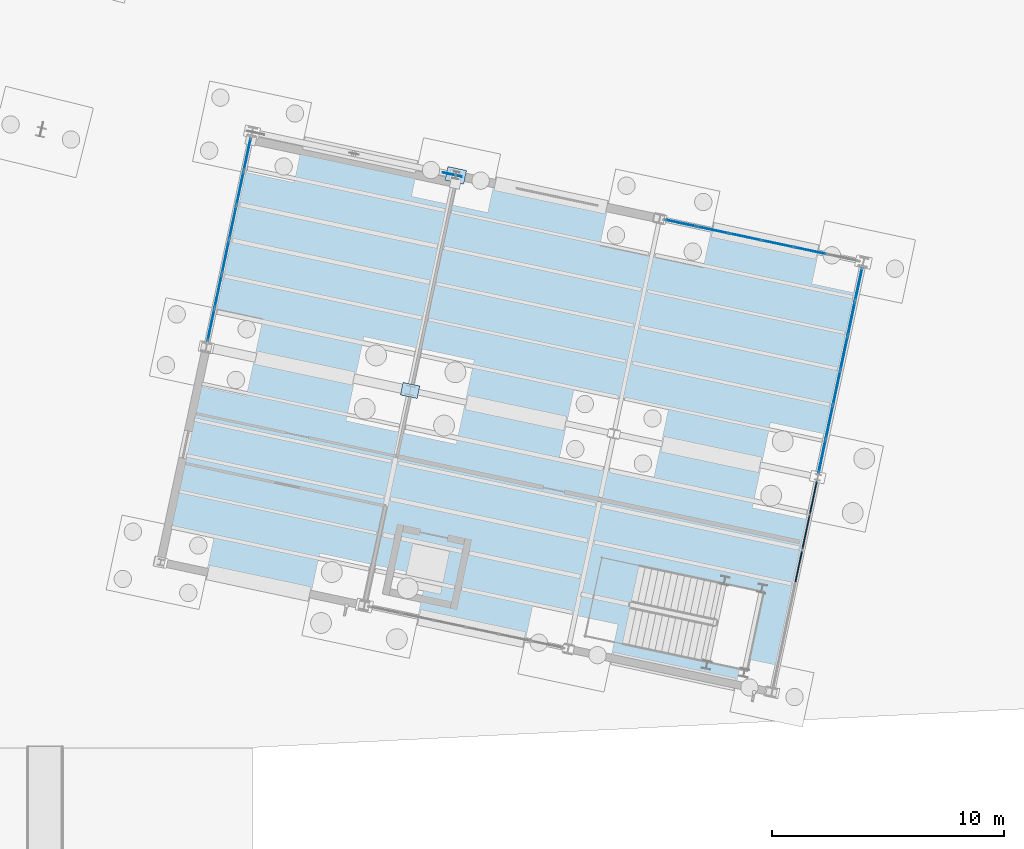
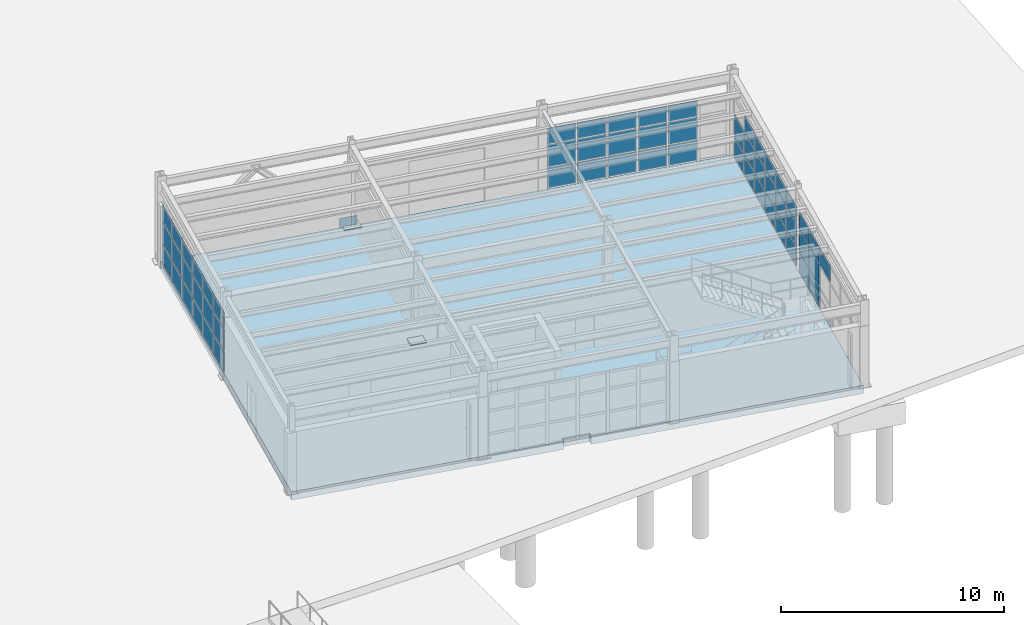
# One storey, part 68 of 108: 60 plates, 1 slab, 4 elements without a shape of their own.
"""IFC4 building model written with IfcOpenShell, lengths in metres."""

from ifc_helpers import new_model, si_unit, direction, frame, origin, origin_2d, place, context, subcontext, project, spatial, polyline, rectangle, outline, extrude, material, layer, layer_set, type_object, element, aggregate, save


model = new_model("IFC4")

# Units and contexts
model_context = context("Model", 3, precision=1e-05, world=origin(), true_north=direction((0.0, 1.0)))
body_context = subcontext(model_context, "Body", "Model", "MODEL_VIEW")
ifc_project = project(units=[si_unit("LENGTHUNIT", "METRE"), si_unit("AREAUNIT", "SQUARE_METRE"), si_unit("VOLUMEUNIT", "CUBIC_METRE"), si_unit("PLANEANGLEUNIT", "RADIAN"), si_unit("MASSUNIT", "GRAM", prefix="KILO")], contexts=[model_context])

# Site, building, storey
site_placement = place(None, origin())
site = spatial("IfcSite", under=ifc_project, at=site_placement, CompositionType="ELEMENT")
building_placement = place(site_placement, origin())
building = spatial("IfcBuilding", under=site, at=building_placement, Name="Vireo Bluff Cable Station", CompositionType="ELEMENT")
storey_placement = place(building_placement, origin())
storey = spatial("IfcBuildingStorey", under=building, at=storey_placement, Name="L00", CompositionType="ELEMENT", Elevation=0.0)

# Plates
ifc_material_1 = material(Name="Steel ASTM A572 Gr. 50", Category="steel")
ifc_layer_1 = layer(ifc_material_1, 0.047119140625, Name="Steel ASTM A572 Gr. 50")
ifc_layer_set_1 = layer_set([ifc_layer_1], Name="Steel ASTM A572 Gr. 50")
plate_type_1 = type_object("IfcPlateType", Name="BASEPLATE-740X550X47", PredefinedType="SHEET", material=ifc_layer_set_1)
plate_1_placement = place(storey_placement, frame((140.778564453125, 17.421142578125, 0.0), z_axis=(0.0, 0.0, 1.0), x_axis=(0.978147600734, -0.207911690818, 0.0)))
element("IfcPlate", 1, at=plate_1_placement, inside=storey, type_object=plate_type_1, Name="V5E column baseplate 270", PredefinedType="SHEET", context=body_context, shape_type="SweptSolid", body=[
    extrude(rectangle(XDim=0.739990234375, YDim=0.550048828125, at=origin_2d()), origin(), (0.0, 0.0, 1.0), 0.047119140625),
])
ifc_layer_2 = layer(ifc_material_1, 0.052001953125, Name="Steel ASTM A572 Gr. 50")
ifc_layer_set_2 = layer_set([ifc_layer_2], Name="Steel ASTM A572 Gr. 50")
plate_type_2 = type_object("IfcPlateType", Name="BASEPLATE-820X600X52", PredefinedType="SHEET", material=ifc_layer_set_2)
plate_2_placement = place(storey_placement, frame((142.753662109375, 26.713623046875, 0.0), z_axis=(0.0, 0.0, 1.0), x_axis=(0.978147600734, -0.207911690818, 0.0)))
element("IfcPlate", 2, at=plate_2_placement, inside=storey, type_object=plate_type_2, Name="V5E column baseplate 271", PredefinedType="SHEET", context=body_context, shape_type="SweptSolid", body=[
    extrude(rectangle(XDim=0.820068359375, YDim=0.60009765625, at=origin_2d()), origin(), (0.0, 0.0, 1.0), 0.052001953125),
])

# Curtain wall, plates
ifc_material_2 = material(Name="Anodized Aluminium 6063-T6", Category="aluminium")
ifc_layer_3 = layer(ifc_material_2, 0.179931640625, Name="Anodized Aluminium 6063-T6")
ifc_layer_set_3 = layer_set([ifc_layer_3], Name="Anodized Aluminium 6063-T6")
curtain_wall_type_1 = type_object("IfcCurtainWallType", Name="CW-UNIT-1650", PredefinedType="USERDEFINED", material=ifc_layer_set_3)
curtain_wall_1_placement = place(storey_placement, origin())
curtain_wall_1 = element("IfcCurtainWall", 3, at=curtain_wall_1_placement, inside=storey, type_object=curtain_wall_type_1, Name="V5E L00 west curtain wall CW-131", ObjectType="UNITISED CURTAIN WALL", PredefinedType="USERDEFINED")
ifc_material_3 = material(Name="Laminated Low-E Insulated Glass", Category="glass")
ifc_layer_4 = layer(ifc_material_3, 0.031982421875, Name="Laminated Low-E Insulated Glass")
ifc_layer_set_4 = layer_set([ifc_layer_4], Name="Laminated Low-E Insulated Glass")
plate_type_3 = type_object("IfcPlateType", Name="CWP-32-2", PredefinedType="CURTAIN_PANEL", material=ifc_layer_set_4)
plate_3_placement = place(storey_placement, frame((132.1787109375, 20.249755859375, 0.080078125), z_axis=(0.0, 0.0, 1.0), x_axis=(0.207911757979, 0.978147586458, 0.0)))
plate_3 = element("IfcPlate", 4, at=plate_3_placement, type_object=plate_type_3, Name="CW-131 panel 1.1", PredefinedType="CURTAIN_PANEL", context=body_context, shape_type="SweptSolid", body=[
    extrude(rectangle(XDim=1.394775390625, YDim=0.031982421875, at=origin_2d()), origin(), (0.0, 0.0, 1.0), 1.070068359375),
])
plate_4_placement = place(storey_placement, frame((132.1787109375, 20.249755859375, 1.22998046875), z_axis=(0.0, 0.0, 1.0), x_axis=(0.207911757979, 0.978147586458, 0.0)))
plate_4 = element("IfcPlate", 5, at=plate_4_placement, type_object=plate_type_3, Name="CW-131 panel 1.2", PredefinedType="CURTAIN_PANEL", context=body_context, shape_type="SweptSolid", body=[
    extrude(rectangle(XDim=1.394775390625, YDim=0.031982421875, at=origin_2d()), origin(), (0.0, 0.0, 1.0), 1.177978515625),
])
plate_5_placement = place(storey_placement, frame((132.1787109375, 20.249755859375, 2.488037109375), z_axis=(0.0, 0.0, 1.0), x_axis=(0.207911757979, 0.978147586458, 0.0)))
plate_5 = element("IfcPlate", 6, at=plate_5_placement, type_object=plate_type_3, Name="CW-131 panel 1.3", PredefinedType="CURTAIN_PANEL", context=body_context, shape_type="SweptSolid", body=[
    extrude(rectangle(XDim=1.394775390625, YDim=0.031982421875, at=origin_2d()), origin(), (0.0, 0.0, 1.0), 0.83203125),
])
plate_6_placement = place(storey_placement, frame((132.489501953125, 21.7119140625, 0.080078125), z_axis=(0.0, 0.0, 1.0), x_axis=(0.207911757979, 0.978147586458, 0.0)))
plate_6 = element("IfcPlate", 7, at=plate_6_placement, type_object=plate_type_3, Name="CW-131 panel 2.1", PredefinedType="CURTAIN_PANEL", context=body_context, shape_type="SweptSolid", body=[
    extrude(rectangle(XDim=1.4345703125, YDim=0.031982421875, at=origin_2d()), origin(), (0.0, 0.0, 1.0), 1.070068359375),
])
plate_7_placement = place(storey_placement, frame((132.489501953125, 21.7119140625, 1.22998046875), z_axis=(0.0, 0.0, 1.0), x_axis=(0.207911757979, 0.978147586458, 0.0)))
plate_7 = element("IfcPlate", 8, at=plate_7_placement, type_object=plate_type_3, Name="CW-131 panel 2.2", PredefinedType="CURTAIN_PANEL", context=body_context, shape_type="SweptSolid", body=[
    extrude(rectangle(XDim=1.4345703125, YDim=0.031982421875, at=origin_2d()), origin(), (0.0, 0.0, 1.0), 1.177978515625),
])
plate_8_placement = place(storey_placement, frame((132.489501953125, 21.7119140625, 2.488037109375), z_axis=(0.0, 0.0, 1.0), x_axis=(0.207911757979, 0.978147586458, 0.0)))
plate_8 = element("IfcPlate", 9, at=plate_8_placement, type_object=plate_type_3, Name="CW-131 panel 2.3", PredefinedType="CURTAIN_PANEL", context=body_context, shape_type="SweptSolid", body=[
    extrude(rectangle(XDim=1.4345703125, YDim=0.031982421875, at=origin_2d()), origin(), (0.0, 0.0, 1.0), 0.83203125),
])
plate_9_placement = place(storey_placement, frame((132.804443359375, 23.193359375, 0.080078125), z_axis=(0.0, 0.0, 1.0), x_axis=(0.207911757979, 0.978147586458, 0.0)))
plate_9 = element("IfcPlate", 10, at=plate_9_placement, type_object=plate_type_3, Name="CW-131 panel 3.1", PredefinedType="CURTAIN_PANEL", context=body_context, shape_type="SweptSolid", body=[
    extrude(rectangle(XDim=1.4345703125, YDim=0.031982421875, at=origin_2d()), origin(), (0.0, 0.0, 1.0), 1.070068359375),
])
plate_10_placement = place(storey_placement, frame((132.804443359375, 23.193359375, 1.22998046875), z_axis=(0.0, 0.0, 1.0), x_axis=(0.207911757979, 0.978147586458, 0.0)))
plate_10 = element("IfcPlate", 11, at=plate_10_placement, type_object=plate_type_3, Name="CW-131 panel 3.2", PredefinedType="CURTAIN_PANEL", context=body_context, shape_type="SweptSolid", body=[
    extrude(rectangle(XDim=1.4345703125, YDim=0.031982421875, at=origin_2d()), origin(), (0.0, 0.0, 1.0), 1.177978515625),
])
plate_11_placement = place(storey_placement, frame((132.804443359375, 23.193359375, 2.488037109375), z_axis=(0.0, 0.0, 1.0), x_axis=(0.207911757979, 0.978147586458, 0.0)))
plate_11 = element("IfcPlate", 12, at=plate_11_placement, type_object=plate_type_3, Name="CW-131 panel 3.3", PredefinedType="CURTAIN_PANEL", context=body_context, shape_type="SweptSolid", body=[
    extrude(rectangle(XDim=1.4345703125, YDim=0.031982421875, at=origin_2d()), origin(), (0.0, 0.0, 1.0), 0.83203125),
])
plate_12_placement = place(storey_placement, frame((133.119384765625, 24.675048828125, 0.080078125), z_axis=(0.0, 0.0, 1.0), x_axis=(0.207911757979, 0.978147586458, 0.0)))
plate_12 = element("IfcPlate", 13, at=plate_12_placement, type_object=plate_type_3, Name="CW-131 panel 4.1", PredefinedType="CURTAIN_PANEL", context=body_context, shape_type="SweptSolid", body=[
    extrude(rectangle(XDim=1.4345703125, YDim=0.031982421875, at=origin_2d()), origin(), (0.0, 0.0, 1.0), 1.070068359375),
])
plate_13_placement = place(storey_placement, frame((133.119384765625, 24.675048828125, 1.22998046875), z_axis=(0.0, 0.0, 1.0), x_axis=(0.207911757979, 0.978147586458, 0.0)))
plate_13 = element("IfcPlate", 14, at=plate_13_placement, type_object=plate_type_3, Name="CW-131 panel 4.2", PredefinedType="CURTAIN_PANEL", context=body_context, shape_type="SweptSolid", body=[
    extrude(rectangle(XDim=1.4345703125, YDim=0.031982421875, at=origin_2d()), origin(), (0.0, 0.0, 1.0), 1.177978515625),
])
plate_14_placement = place(storey_placement, frame((133.119384765625, 24.675048828125, 2.488037109375), z_axis=(0.0, 0.0, 1.0), x_axis=(0.207911757979, 0.978147586458, 0.0)))
plate_14 = element("IfcPlate", 15, at=plate_14_placement, type_object=plate_type_3, Name="CW-131 panel 4.3", PredefinedType="CURTAIN_PANEL", context=body_context, shape_type="SweptSolid", body=[
    extrude(rectangle(XDim=1.4345703125, YDim=0.031982421875, at=origin_2d()), origin(), (0.0, 0.0, 1.0), 0.83203125),
])
plate_15_placement = place(storey_placement, frame((133.43408203125, 26.156494140625, 0.080078125), z_axis=(0.0, 0.0, 1.0), x_axis=(0.207911757979, 0.978147586458, 0.0)))
plate_15 = element("IfcPlate", 16, at=plate_15_placement, type_object=plate_type_3, Name="CW-131 panel 5.1", PredefinedType="CURTAIN_PANEL", context=body_context, shape_type="SweptSolid", body=[
    extrude(rectangle(XDim=1.4345703125, YDim=0.031982421875, at=origin_2d()), origin(), (0.0, 0.0, 1.0), 1.070068359375),
])
plate_16_placement = place(storey_placement, frame((133.43408203125, 26.156494140625, 1.22998046875), z_axis=(0.0, 0.0, 1.0), x_axis=(0.207911757979, 0.978147586458, 0.0)))
plate_16 = element("IfcPlate", 17, at=plate_16_placement, type_object=plate_type_3, Name="CW-131 panel 5.2", PredefinedType="CURTAIN_PANEL", context=body_context, shape_type="SweptSolid", body=[
    extrude(rectangle(XDim=1.4345703125, YDim=0.031982421875, at=origin_2d()), origin(), (0.0, 0.0, 1.0), 1.177978515625),
])
plate_17_placement = place(storey_placement, frame((133.43408203125, 26.156494140625, 2.488037109375), z_axis=(0.0, 0.0, 1.0), x_axis=(0.207911757979, 0.978147586458, 0.0)))
plate_17 = element("IfcPlate", 18, at=plate_17_placement, type_object=plate_type_3, Name="CW-131 panel 5.3", PredefinedType="CURTAIN_PANEL", context=body_context, shape_type="SweptSolid", body=[
    extrude(rectangle(XDim=1.4345703125, YDim=0.031982421875, at=origin_2d()), origin(), (0.0, 0.0, 1.0), 0.83203125),
])
plate_18_placement = place(storey_placement, frame((133.744873046875, 27.61865234375, 0.080078125), z_axis=(0.0, 0.0, 1.0), x_axis=(0.207911757979, 0.978147586458, 0.0)))
plate_18 = element("IfcPlate", 19, at=plate_18_placement, type_object=plate_type_3, Name="CW-131 panel 6.1", PredefinedType="CURTAIN_PANEL", context=body_context, shape_type="SweptSolid", body=[
    extrude(rectangle(XDim=1.394775390625, YDim=0.031982421875, at=origin_2d()), origin(), (0.0, 0.0, 1.0), 1.070068359375),
])
plate_19_placement = place(storey_placement, frame((133.744873046875, 27.61865234375, 1.22998046875), z_axis=(0.0, 0.0, 1.0), x_axis=(0.207911757979, 0.978147586458, 0.0)))
plate_19 = element("IfcPlate", 20, at=plate_19_placement, type_object=plate_type_3, Name="CW-131 panel 6.2", PredefinedType="CURTAIN_PANEL", context=body_context, shape_type="SweptSolid", body=[
    extrude(rectangle(XDim=1.394775390625, YDim=0.031982421875, at=origin_2d()), origin(), (0.0, 0.0, 1.0), 1.177978515625),
])
plate_20_placement = place(storey_placement, frame((133.744873046875, 27.61865234375, 2.488037109375), z_axis=(0.0, 0.0, 1.0), x_axis=(0.207911757979, 0.978147586458, 0.0)))
plate_20 = element("IfcPlate", 21, at=plate_20_placement, type_object=plate_type_3, Name="CW-131 panel 6.3", PredefinedType="CURTAIN_PANEL", context=body_context, shape_type="SweptSolid", body=[
    extrude(rectangle(XDim=1.394775390625, YDim=0.031982421875, at=origin_2d()), origin(), (0.0, 0.0, 1.0), 0.83203125),
])
aggregate(curtain_wall_1, [plate_3, plate_4, plate_5, plate_6, plate_7, plate_8, plate_9, plate_10, plate_11, plate_12, plate_13, plate_14, plate_15, plate_16, plate_17, plate_18, plate_19, plate_20])

ifc_layer_5 = layer(ifc_material_2, 0.179931640625, Name="Anodized Aluminium 6063-T6")
ifc_layer_set_5 = layer_set([ifc_layer_5], Name="Anodized Aluminium 6063-T6")
curtain_wall_type_2 = type_object("IfcCurtainWallType", Name="CW-UNIT-1400", PredefinedType="USERDEFINED", material=ifc_layer_set_5)
curtain_wall_2_placement = place(storey_placement, origin())
curtain_wall_2 = element("IfcCurtainWall", 22, at=curtain_wall_2_placement, inside=storey, type_object=curtain_wall_type_2, Name="V5E L00 north curtain wall CW-132", ObjectType="UNITISED CURTAIN WALL", PredefinedType="USERDEFINED")
ifc_layer_6 = layer(ifc_material_3, 0.035888671875, Name="Laminated Low-E Insulated Glass")
ifc_layer_set_6 = layer_set([ifc_layer_6], Name="Laminated Low-E Insulated Glass")
plate_type_4 = type_object("IfcPlateType", Name="CWP-36-3", PredefinedType="CURTAIN_PANEL", material=ifc_layer_set_6)
plate_21_placement = place(storey_placement, frame((152.471435546875, 24.64794921875, 0.06494140625), z_axis=(0.0, 0.0, 1.0), x_axis=(0.978147597163, -0.207911707617, 0.0)))
plate_21 = element("IfcPlate", 23, at=plate_21_placement, type_object=plate_type_4, Name="CW-132 panel 1.1", PredefinedType="CURTAIN_PANEL", context=body_context, shape_type="SweptSolid", body=[
    extrude(rectangle(XDim=1.3349609375, YDim=0.035888671875, at=origin_2d()), origin(), (0.0, 0.0, 1.0), 1.092529296875),
])
plate_22_placement = place(storey_placement, frame((152.471435546875, 24.64794921875, 1.22265625), z_axis=(0.0, 0.0, 1.0), x_axis=(0.978147597163, -0.207911707617, 0.0)))
plate_22 = element("IfcPlate", 24, at=plate_22_placement, type_object=plate_type_4, Name="CW-132 panel 1.2", PredefinedType="CURTAIN_PANEL", context=body_context, shape_type="SweptSolid", body=[
    extrude(rectangle(XDim=1.3349609375, YDim=0.035888671875, at=origin_2d()), origin(), (0.0, 0.0, 1.0), 1.193115234375),
])
plate_23_placement = place(storey_placement, frame((152.471435546875, 24.64794921875, 2.48046875), z_axis=(0.0, 0.0, 1.0), x_axis=(0.978147597163, -0.207911707617, 0.0)))
plate_23 = element("IfcPlate", 25, at=plate_23_placement, type_object=plate_type_4, Name="CW-132 panel 1.3", PredefinedType="CURTAIN_PANEL", context=body_context, shape_type="SweptSolid", body=[
    extrude(rectangle(XDim=1.3349609375, YDim=0.035888671875, at=origin_2d()), origin(), (0.0, 0.0, 1.0), 0.8544921875),
])
plate_24_placement = place(storey_placement, frame((153.85693359375, 24.353515625, 0.06494140625), z_axis=(0.0, 0.0, 1.0), x_axis=(0.978147597163, -0.207911707617, 0.0)))
plate_24 = element("IfcPlate", 26, at=plate_24_placement, type_object=plate_type_4, Name="CW-132 panel 2.1", PredefinedType="CURTAIN_PANEL", context=body_context, shape_type="SweptSolid", body=[
    extrude(rectangle(XDim=1.367431640625, YDim=0.035888671875, at=origin_2d()), origin(), (0.0, 0.0, 1.0), 1.092529296875),
])
plate_25_placement = place(storey_placement, frame((153.85693359375, 24.353515625, 1.22265625), z_axis=(0.0, 0.0, 1.0), x_axis=(0.978147597163, -0.207911707617, 0.0)))
plate_25 = element("IfcPlate", 27, at=plate_25_placement, type_object=plate_type_4, Name="CW-132 panel 2.2", PredefinedType="CURTAIN_PANEL", context=body_context, shape_type="SweptSolid", body=[
    extrude(rectangle(XDim=1.367431640625, YDim=0.035888671875, at=origin_2d()), origin(), (0.0, 0.0, 1.0), 1.193115234375),
])
plate_26_placement = place(storey_placement, frame((153.85693359375, 24.353515625, 2.48046875), z_axis=(0.0, 0.0, 1.0), x_axis=(0.978147597163, -0.207911707617, 0.0)))
plate_26 = element("IfcPlate", 28, at=plate_26_placement, type_object=plate_type_4, Name="CW-132 panel 2.3", PredefinedType="CURTAIN_PANEL", context=body_context, shape_type="SweptSolid", body=[
    extrude(rectangle(XDim=1.367431640625, YDim=0.035888671875, at=origin_2d()), origin(), (0.0, 0.0, 1.0), 0.8544921875),
])
plate_27_placement = place(storey_placement, frame((155.258056640625, 24.0556640625, 0.06494140625), z_axis=(0.0, 0.0, 1.0), x_axis=(0.978147597163, -0.207911707617, 0.0)))
plate_27 = element("IfcPlate", 29, at=plate_27_placement, type_object=plate_type_4, Name="CW-132 panel 3.1", PredefinedType="CURTAIN_PANEL", context=body_context, shape_type="SweptSolid", body=[
    extrude(rectangle(XDim=1.367431640625, YDim=0.035888671875, at=origin_2d()), origin(), (0.0, 0.0, 1.0), 1.092529296875),
])
plate_28_placement = place(storey_placement, frame((155.258056640625, 24.0556640625, 1.22265625), z_axis=(0.0, 0.0, 1.0), x_axis=(0.978147597163, -0.207911707617, 0.0)))
plate_28 = element("IfcPlate", 30, at=plate_28_placement, type_object=plate_type_4, Name="CW-132 panel 3.2", PredefinedType="CURTAIN_PANEL", context=body_context, shape_type="SweptSolid", body=[
    extrude(rectangle(XDim=1.367431640625, YDim=0.035888671875, at=origin_2d()), origin(), (0.0, 0.0, 1.0), 1.193115234375),
])
plate_29_placement = place(storey_placement, frame((155.258056640625, 24.0556640625, 2.48046875), z_axis=(0.0, 0.0, 1.0), x_axis=(0.978147597163, -0.207911707617, 0.0)))
plate_29 = element("IfcPlate", 31, at=plate_29_placement, type_object=plate_type_4, Name="CW-132 panel 3.3", PredefinedType="CURTAIN_PANEL", context=body_context, shape_type="SweptSolid", body=[
    extrude(rectangle(XDim=1.367431640625, YDim=0.035888671875, at=origin_2d()), origin(), (0.0, 0.0, 1.0), 0.8544921875),
])
plate_30_placement = place(storey_placement, frame((156.6591796875, 23.7578125, 0.06494140625), z_axis=(0.0, 0.0, 1.0), x_axis=(0.978147597163, -0.207911707617, 0.0)))
plate_30 = element("IfcPlate", 32, at=plate_30_placement, type_object=plate_type_4, Name="CW-132 panel 4.1", PredefinedType="CURTAIN_PANEL", context=body_context, shape_type="SweptSolid", body=[
    extrude(rectangle(XDim=1.367431640625, YDim=0.035888671875, at=origin_2d()), origin(), (0.0, 0.0, 1.0), 1.092529296875),
])
plate_31_placement = place(storey_placement, frame((156.6591796875, 23.7578125, 1.22265625), z_axis=(0.0, 0.0, 1.0), x_axis=(0.978147597163, -0.207911707617, 0.0)))
plate_31 = element("IfcPlate", 33, at=plate_31_placement, type_object=plate_type_4, Name="CW-132 panel 4.2", PredefinedType="CURTAIN_PANEL", context=body_context, shape_type="SweptSolid", body=[
    extrude(rectangle(XDim=1.367431640625, YDim=0.035888671875, at=origin_2d()), origin(), (0.0, 0.0, 1.0), 1.193115234375),
])
plate_32_placement = place(storey_placement, frame((156.6591796875, 23.7578125, 2.48046875), z_axis=(0.0, 0.0, 1.0), x_axis=(0.978147597163, -0.207911707617, 0.0)))
plate_32 = element("IfcPlate", 34, at=plate_32_placement, type_object=plate_type_4, Name="CW-132 panel 4.3", PredefinedType="CURTAIN_PANEL", context=body_context, shape_type="SweptSolid", body=[
    extrude(rectangle(XDim=1.367431640625, YDim=0.035888671875, at=origin_2d()), origin(), (0.0, 0.0, 1.0), 0.8544921875),
])
plate_33_placement = place(storey_placement, frame((158.060546875, 23.4599609375, 0.06494140625), z_axis=(0.0, 0.0, 1.0), x_axis=(0.978147597163, -0.207911707617, 0.0)))
plate_33 = element("IfcPlate", 35, at=plate_33_placement, type_object=plate_type_4, Name="CW-132 panel 5.1", PredefinedType="CURTAIN_PANEL", context=body_context, shape_type="SweptSolid", body=[
    extrude(rectangle(XDim=1.367431640625, YDim=0.035888671875, at=origin_2d()), origin(), (0.0, 0.0, 1.0), 1.092529296875),
])
plate_34_placement = place(storey_placement, frame((158.060546875, 23.4599609375, 1.22265625), z_axis=(0.0, 0.0, 1.0), x_axis=(0.978147597163, -0.207911707617, 0.0)))
plate_34 = element("IfcPlate", 36, at=plate_34_placement, type_object=plate_type_4, Name="CW-132 panel 5.2", PredefinedType="CURTAIN_PANEL", context=body_context, shape_type="SweptSolid", body=[
    extrude(rectangle(XDim=1.367431640625, YDim=0.035888671875, at=origin_2d()), origin(), (0.0, 0.0, 1.0), 1.193115234375),
])
plate_35_placement = place(storey_placement, frame((158.060546875, 23.4599609375, 2.48046875), z_axis=(0.0, 0.0, 1.0), x_axis=(0.978147597163, -0.207911707617, 0.0)))
plate_35 = element("IfcPlate", 37, at=plate_35_placement, type_object=plate_type_4, Name="CW-132 panel 5.3", PredefinedType="CURTAIN_PANEL", context=body_context, shape_type="SweptSolid", body=[
    extrude(rectangle(XDim=1.367431640625, YDim=0.035888671875, at=origin_2d()), origin(), (0.0, 0.0, 1.0), 0.8544921875),
])
aggregate(curtain_wall_2, [plate_21, plate_22, plate_23, plate_24, plate_25, plate_26, plate_27, plate_28, plate_29, plate_30, plate_31, plate_32, plate_33, plate_34, plate_35])

ifc_layer_7 = layer(ifc_material_2, 0.179931640625, Name="Anodized Aluminium 6063-T6")
ifc_layer_set_7 = layer_set([ifc_layer_7], Name="Anodized Aluminium 6063-T6")
curtain_wall_type_3 = type_object("IfcCurtainWallType", Name="CW-UNIT-1500", PredefinedType="USERDEFINED", material=ifc_layer_set_7)
curtain_wall_3_placement = place(storey_placement, origin())
curtain_wall_3 = element("IfcCurtainWall", 38, at=curtain_wall_3_placement, inside=storey, type_object=curtain_wall_type_3, Name="V5E L00 east curtain wall CW-133", ObjectType="UNITISED CURTAIN WALL", PredefinedType="USERDEFINED")
ifc_material_4 = material(Name="Insulated Spandrel Glass Panel", Category="glass")
ifc_layer_8 = layer(ifc_material_4, 0.0419921875, Name="Insulated Spandrel Glass Panel")
ifc_layer_set_8 = layer_set([ifc_layer_8], Name="Insulated Spandrel Glass Panel")
plate_type_5 = type_object("IfcPlateType", Name="CWP-42-4", PredefinedType="CURTAIN_PANEL", material=ifc_layer_set_8)
plate_36_placement = place(storey_placement, frame((160.15576171875, 22.00830078125, 0.0751953125), z_axis=(0.0, 0.0, 1.0), x_axis=(-0.207911661778, -0.978147606906, 0.0)))
plate_36 = element("IfcPlate", 39, at=plate_36_placement, type_object=plate_type_5, Name="CW-133 panel 1.1", PredefinedType="CURTAIN_PANEL", context=body_context, shape_type="SweptSolid", body=[
    extrude(rectangle(XDim=1.41552734375, YDim=0.0419921875, at=origin_2d()), origin(), (0.0, 0.0, 1.0), 1.077392578125),
])
plate_37_placement = place(storey_placement, frame((160.15576171875, 22.00830078125, 1.2275390625), z_axis=(0.0, 0.0, 1.0), x_axis=(-0.207911661778, -0.978147606906, 0.0)))
plate_37 = element("IfcPlate", 40, at=plate_37_placement, type_object=plate_type_5, Name="CW-133 panel 1.2", PredefinedType="CURTAIN_PANEL", context=body_context, shape_type="SweptSolid", body=[
    extrude(rectangle(XDim=1.41552734375, YDim=0.0419921875, at=origin_2d()), origin(), (0.0, 0.0, 1.0), 1.18310546875),
])
plate_38_placement = place(storey_placement, frame((159.841796875, 20.531982421875, 0.0751953125), z_axis=(0.0, 0.0, 1.0), x_axis=(-0.207911661778, -0.978147606906, 0.0)))
plate_38 = element("IfcPlate", 41, at=plate_38_placement, type_object=plate_type_5, Name="CW-133 panel 2.1", PredefinedType="CURTAIN_PANEL", context=body_context, shape_type="SweptSolid", body=[
    extrude(rectangle(XDim=1.453125, YDim=0.0419921875, at=origin_2d()), origin(), (0.0, 0.0, 1.0), 1.077392578125),
])
plate_39_placement = place(storey_placement, frame((159.841796875, 20.531982421875, 1.2275390625), z_axis=(0.0, 0.0, 1.0), x_axis=(-0.207911661778, -0.978147606906, 0.0)))
plate_39 = element("IfcPlate", 42, at=plate_39_placement, type_object=plate_type_5, Name="CW-133 panel 2.2", PredefinedType="CURTAIN_PANEL", context=body_context, shape_type="SweptSolid", body=[
    extrude(rectangle(XDim=1.453125, YDim=0.0419921875, at=origin_2d()), origin(), (0.0, 0.0, 1.0), 1.18310546875),
])
plate_40_placement = place(storey_placement, frame((159.841796875, 20.531982421875, 2.4853515625), z_axis=(0.0, 0.0, 1.0), x_axis=(-0.207911661778, -0.978147606906, 0.0)))
plate_40 = element("IfcPlate", 43, at=plate_40_placement, type_object=plate_type_5, Name="CW-133 panel 2.3", PredefinedType="CURTAIN_PANEL", context=body_context, shape_type="SweptSolid", body=[
    extrude(rectangle(XDim=1.453125, YDim=0.0419921875, at=origin_2d()), origin(), (0.0, 0.0, 1.0), 0.839599609375),
])
plate_41_placement = place(storey_placement, frame((159.524169921875, 19.037353515625, 0.0751953125), z_axis=(0.0, 0.0, 1.0), x_axis=(-0.207911661778, -0.978147606906, 0.0)))
plate_41 = element("IfcPlate", 44, at=plate_41_placement, type_object=plate_type_5, Name="CW-133 panel 3.1", PredefinedType="CURTAIN_PANEL", context=body_context, shape_type="SweptSolid", body=[
    extrude(rectangle(XDim=1.453125, YDim=0.0419921875, at=origin_2d()), origin(), (0.0, 0.0, 1.0), 1.077392578125),
])
plate_42_placement = place(storey_placement, frame((159.524169921875, 19.037353515625, 1.2275390625), z_axis=(0.0, 0.0, 1.0), x_axis=(-0.207911661778, -0.978147606906, 0.0)))
plate_42 = element("IfcPlate", 45, at=plate_42_placement, type_object=plate_type_5, Name="CW-133 panel 3.2", PredefinedType="CURTAIN_PANEL", context=body_context, shape_type="SweptSolid", body=[
    extrude(rectangle(XDim=1.453125, YDim=0.0419921875, at=origin_2d()), origin(), (0.0, 0.0, 1.0), 1.18310546875),
])
plate_43_placement = place(storey_placement, frame((159.524169921875, 19.037353515625, 2.4853515625), z_axis=(0.0, 0.0, 1.0), x_axis=(-0.207911661778, -0.978147606906, 0.0)))
plate_43 = element("IfcPlate", 46, at=plate_43_placement, type_object=plate_type_5, Name="CW-133 panel 3.3", PredefinedType="CURTAIN_PANEL", context=body_context, shape_type="SweptSolid", body=[
    extrude(rectangle(XDim=1.453125, YDim=0.0419921875, at=origin_2d()), origin(), (0.0, 0.0, 1.0), 0.839599609375),
])
plate_44_placement = place(storey_placement, frame((159.20654296875, 17.542724609375, 0.0751953125), z_axis=(0.0, 0.0, 1.0), x_axis=(-0.207911661778, -0.978147606906, 0.0)))
plate_44 = element("IfcPlate", 47, at=plate_44_placement, type_object=plate_type_5, Name="CW-133 panel 4.1", PredefinedType="CURTAIN_PANEL", context=body_context, shape_type="SweptSolid", body=[
    extrude(rectangle(XDim=1.453125, YDim=0.0419921875, at=origin_2d()), origin(), (0.0, 0.0, 1.0), 1.077392578125),
])
plate_45_placement = place(storey_placement, frame((159.20654296875, 17.542724609375, 1.2275390625), z_axis=(0.0, 0.0, 1.0), x_axis=(-0.207911661778, -0.978147606906, 0.0)))
plate_45 = element("IfcPlate", 48, at=plate_45_placement, type_object=plate_type_5, Name="CW-133 panel 4.2", PredefinedType="CURTAIN_PANEL", context=body_context, shape_type="SweptSolid", body=[
    extrude(rectangle(XDim=1.453125, YDim=0.0419921875, at=origin_2d()), origin(), (0.0, 0.0, 1.0), 1.18310546875),
])
plate_46_placement = place(storey_placement, frame((159.20654296875, 17.542724609375, 2.4853515625), z_axis=(0.0, 0.0, 1.0), x_axis=(-0.207911661778, -0.978147606906, 0.0)))
plate_46 = element("IfcPlate", 49, at=plate_46_placement, type_object=plate_type_5, Name="CW-133 panel 4.3", PredefinedType="CURTAIN_PANEL", context=body_context, shape_type="SweptSolid", body=[
    extrude(rectangle(XDim=1.453125, YDim=0.0419921875, at=origin_2d()), origin(), (0.0, 0.0, 1.0), 0.839599609375),
])
plate_47_placement = place(storey_placement, frame((158.888671875, 16.048095703125, 0.0751953125), z_axis=(0.0, 0.0, 1.0), x_axis=(-0.207911661778, -0.978147606906, 0.0)))
plate_47 = element("IfcPlate", 50, at=plate_47_placement, type_object=plate_type_5, Name="CW-133 panel 5.1", PredefinedType="CURTAIN_PANEL", context=body_context, shape_type="SweptSolid", body=[
    extrude(rectangle(XDim=1.453125, YDim=0.0419921875, at=origin_2d()), origin(), (0.0, 0.0, 1.0), 1.077392578125),
])
plate_48_placement = place(storey_placement, frame((158.888671875, 16.048095703125, 1.2275390625), z_axis=(0.0, 0.0, 1.0), x_axis=(-0.207911661778, -0.978147606906, 0.0)))
plate_48 = element("IfcPlate", 51, at=plate_48_placement, type_object=plate_type_5, Name="CW-133 panel 5.2", PredefinedType="CURTAIN_PANEL", context=body_context, shape_type="SweptSolid", body=[
    extrude(rectangle(XDim=1.453125, YDim=0.0419921875, at=origin_2d()), origin(), (0.0, 0.0, 1.0), 1.18310546875),
])
plate_49_placement = place(storey_placement, frame((158.888671875, 16.048095703125, 2.4853515625), z_axis=(0.0, 0.0, 1.0), x_axis=(-0.207911661778, -0.978147606906, 0.0)))
plate_49 = element("IfcPlate", 52, at=plate_49_placement, type_object=plate_type_5, Name="CW-133 panel 5.3", PredefinedType="CURTAIN_PANEL", context=body_context, shape_type="SweptSolid", body=[
    extrude(rectangle(XDim=1.453125, YDim=0.0419921875, at=origin_2d()), origin(), (0.0, 0.0, 1.0), 0.839599609375),
])
plate_50_placement = place(storey_placement, frame((158.574951171875, 14.571533203125, 0.0751953125), z_axis=(0.0, 0.0, 1.0), x_axis=(-0.207911661778, -0.978147606906, 0.0)))
plate_50 = element("IfcPlate", 53, at=plate_50_placement, type_object=plate_type_5, Name="CW-133 panel 6.1", PredefinedType="CURTAIN_PANEL", context=body_context, shape_type="SweptSolid", body=[
    extrude(rectangle(XDim=1.41552734375, YDim=0.0419921875, at=origin_2d()), origin(), (0.0, 0.0, 1.0), 1.077392578125),
])
plate_51_placement = place(storey_placement, frame((158.574951171875, 14.571533203125, 1.2275390625), z_axis=(0.0, 0.0, 1.0), x_axis=(-0.207911661778, -0.978147606906, 0.0)))
plate_51 = element("IfcPlate", 54, at=plate_51_placement, type_object=plate_type_5, Name="CW-133 panel 6.2", PredefinedType="CURTAIN_PANEL", context=body_context, shape_type="SweptSolid", body=[
    extrude(rectangle(XDim=1.41552734375, YDim=0.0419921875, at=origin_2d()), origin(), (0.0, 0.0, 1.0), 1.18310546875),
])
plate_52_placement = place(storey_placement, frame((158.574951171875, 14.571533203125, 2.4853515625), z_axis=(0.0, 0.0, 1.0), x_axis=(-0.207911661778, -0.978147606906, 0.0)))
plate_52 = element("IfcPlate", 55, at=plate_52_placement, type_object=plate_type_5, Name="CW-133 panel 6.3", PredefinedType="CURTAIN_PANEL", context=body_context, shape_type="SweptSolid", body=[
    extrude(rectangle(XDim=1.41552734375, YDim=0.0419921875, at=origin_2d()), origin(), (0.0, 0.0, 1.0), 0.839599609375),
])
aggregate(curtain_wall_3, [plate_36, plate_37, plate_38, plate_39, plate_40, plate_41, plate_42, plate_43, plate_44, plate_45, plate_46, plate_47, plate_48, plate_49, plate_50, plate_51, plate_52])

curtain_wall_4_placement = place(storey_placement, origin())
curtain_wall_4 = element("IfcCurtainWall", 56, at=curtain_wall_4_placement, inside=storey, type_object=curtain_wall_type_1, Name="V5E L00 east curtain wall CW-134", ObjectType="UNITISED CURTAIN WALL", PredefinedType="USERDEFINED")
ifc_layer_9 = layer(ifc_material_4, 0.048095703125, Name="Insulated Spandrel Glass Panel")
ifc_layer_set_9 = layer_set([ifc_layer_9], Name="Insulated Spandrel Glass Panel")
plate_type_6 = type_object("IfcPlateType", Name="CWP-48-5", PredefinedType="CURTAIN_PANEL", material=ifc_layer_set_9)
plate_53_placement = place(storey_placement, frame((158.196044921875, 12.78955078125, 0.06005859375), z_axis=(0.0, 0.0, 1.0), x_axis=(-0.207911766122, -0.978147584727, 0.0)))
plate_53 = element("IfcPlate", 57, at=plate_53_placement, type_object=plate_type_6, Name="CW-134 panel 1.1", PredefinedType="CURTAIN_PANEL", context=body_context, shape_type="SweptSolid", body=[
    extrude(rectangle(XDim=1.43798828125, YDim=0.048095703125, at=origin_2d()), origin(), (0.0, 0.0, 1.0), 1.10009765625),
])
plate_54_placement = place(storey_placement, frame((158.196044921875, 12.78955078125, 1.22021484375), z_axis=(0.0, 0.0, 1.0), x_axis=(-0.207911766122, -0.978147584727, 0.0)))
plate_54 = element("IfcPlate", 58, at=plate_54_placement, type_object=plate_type_6, Name="CW-134 panel 1.2", PredefinedType="CURTAIN_PANEL", context=body_context, shape_type="SweptSolid", body=[
    extrude(rectangle(XDim=1.43798828125, YDim=0.048095703125, at=origin_2d()), origin(), (0.0, 0.0, 1.0), 1.197998046875),
])
plate_55_placement = place(storey_placement, frame((158.196044921875, 12.78955078125, 2.47802734375), z_axis=(0.0, 0.0, 1.0), x_axis=(-0.207911766122, -0.978147584727, 0.0)))
plate_55 = element("IfcPlate", 59, at=plate_55_placement, type_object=plate_type_6, Name="CW-134 panel 1.3", PredefinedType="CURTAIN_PANEL", context=body_context, shape_type="SweptSolid", body=[
    extrude(rectangle(XDim=1.43798828125, YDim=0.048095703125, at=origin_2d()), origin(), (0.0, 0.0, 1.0), 0.862060546875),
])
plate_56_placement = place(storey_placement, frame((157.881591796875, 11.3095703125, 0.06005859375), z_axis=(0.0, 0.0, 1.0), x_axis=(-0.207911766122, -0.978147584727, 0.0)))
plate_56 = element("IfcPlate", 60, at=plate_56_placement, type_object=plate_type_6, Name="CW-134 panel 2.1", PredefinedType="CURTAIN_PANEL", context=body_context, shape_type="SweptSolid", body=[
    extrude(rectangle(XDim=1.468017578125, YDim=0.048095703125, at=origin_2d()), origin(), (0.0, 0.0, 1.0), 1.10009765625),
])
plate_57_placement = place(storey_placement, frame((157.881591796875, 11.3095703125, 1.22021484375), z_axis=(0.0, 0.0, 1.0), x_axis=(-0.207911766122, -0.978147584727, 0.0)))
plate_57 = element("IfcPlate", 61, at=plate_57_placement, type_object=plate_type_6, Name="CW-134 panel 2.2", PredefinedType="CURTAIN_PANEL", context=body_context, shape_type="SweptSolid", body=[
    extrude(rectangle(XDim=1.468017578125, YDim=0.048095703125, at=origin_2d()), origin(), (0.0, 0.0, 1.0), 1.197998046875),
])
plate_58_placement = place(storey_placement, frame((157.881591796875, 11.3095703125, 2.47802734375), z_axis=(0.0, 0.0, 1.0), x_axis=(-0.207911766122, -0.978147584727, 0.0)))
plate_58 = element("IfcPlate", 62, at=plate_58_placement, type_object=plate_type_6, Name="CW-134 panel 2.3", PredefinedType="CURTAIN_PANEL", context=body_context, shape_type="SweptSolid", body=[
    extrude(rectangle(XDim=1.468017578125, YDim=0.048095703125, at=origin_2d()), origin(), (0.0, 0.0, 1.0), 0.862060546875),
])
plate_59_placement = place(storey_placement, frame((157.56396484375, 9.81494140625, 2.47802734375), z_axis=(0.0, 0.0, 1.0), x_axis=(-0.207911766122, -0.978147584727, 0.0)))
plate_59 = element("IfcPlate", 63, at=plate_59_placement, type_object=plate_type_6, Name="CW-134 panel 3.3", PredefinedType="CURTAIN_PANEL", context=body_context, shape_type="SweptSolid", body=[
    extrude(rectangle(XDim=1.468017578125, YDim=0.048095703125, at=origin_2d()), origin(), (0.0, 0.0, 1.0), 0.862060546875),
])
aggregate(curtain_wall_4, [plate_53, plate_54, plate_55, plate_56, plate_57, plate_58, plate_59])

# Slab
ifc_material_5 = material(Name="Concrete f'c 40 MPa", Category="concrete")
ifc_layer_10 = layer(ifc_material_5, 0.449951171875, Name="Concrete f'c 40 MPa")
ifc_layer_set_10 = layer_set([ifc_layer_10], Name="Concrete f'c 40 MPa")
slab_type = type_object("IfcSlabType", Name="GSL-450", PredefinedType="BASESLAB", material=ifc_layer_set_10)
slab_placement = place(storey_placement, frame((0.0, 0.0, -0.449951171875)))
element("IfcSlab", 64, at=slab_placement, inside=storey, type_object=slab_type, Name="V5E L00 base slab", PredefinedType="BASESLAB", context=body_context, shape_type="SweptSolid", body=[
    extrude(outline(polyline([(130.0, 10.0), (142.569091796875, 7.328369140625), (142.614990234375, 7.54345703125), (143.886474609375, 7.273193359375), (143.8408203125, 7.05810546875), (156.409912109375, 4.386474609375), (160.3603515625, 22.97119140625), (133.950439453125, 28.584716796875), (130.0, 10.0)])), origin(), (0.0, 0.0, 1.0), 0.449951171875),
])

# Plate
ifc_layer_11 = layer(ifc_material_1, 0.035888671875, Name="Steel ASTM A572 Gr. 50")
ifc_layer_set_11 = layer_set([ifc_layer_11], Name="Steel ASTM A572 Gr. 50")
plate_type_7 = type_object("IfcPlateType", Name="GUSSET-840X580X36", PredefinedType="USERDEFINED", material=ifc_layer_set_11)
plate_60_placement = place(storey_placement, frame((142.59716796875, 26.746826171875, -0.070068359375), z_axis=(0.0, 0.0, 1.0), x_axis=(0.978147600734, -0.207911690818, 0.0)))
element("IfcPlate", 65, at=plate_60_placement, inside=storey, type_object=plate_type_7, Name="V5E L00 brace base gusset plate 279", ObjectType="GUSSET PLATE", PredefinedType="USERDEFINED", context=body_context, shape_type="SweptSolid", body=[
    extrude(rectangle(XDim=0.840087890625, YDim=0.035888671875, at=origin_2d()), origin(), (0.0, 0.0, 1.0), 0.580078125),
])

save(model, "model.ifc")
